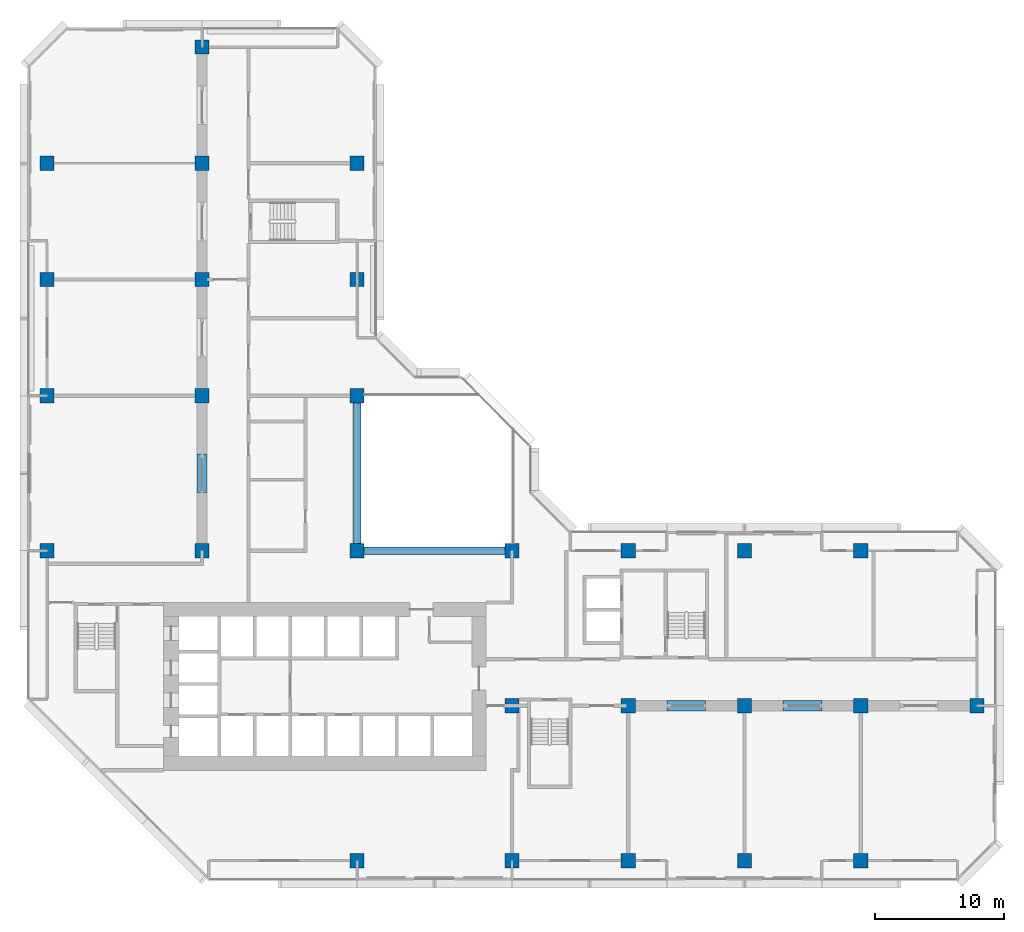
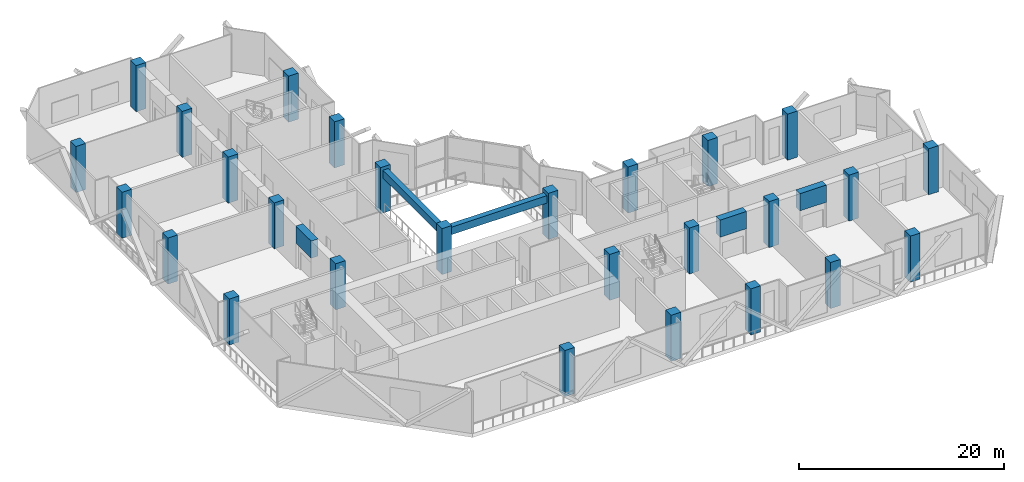
# One storey, part 1 of 14: 27 columns, 5 beams.
"""IFC4 building model written with IfcOpenShell, lengths in metres."""

from ifc_helpers import new_model, si_unit, direction, frame, origin, origin_2d, place, context, subcontext, project, spatial, rectangle, extrude, material, material_profile, profile_set, type_object, element, save


model = new_model("IFC4")

# Units and contexts
model_context = context("Model", 3, precision=1e-05, world=origin(), true_north=direction((0.0, 1.0)))
body_context = subcontext(model_context, "Body", "Model", "MODEL_VIEW")
ifc_project = project(units=[si_unit("LENGTHUNIT", "METRE"), si_unit("AREAUNIT", "SQUARE_METRE"), si_unit("VOLUMEUNIT", "CUBIC_METRE"), si_unit("PLANEANGLEUNIT", "RADIAN"), si_unit("MASSUNIT", "GRAM", prefix="KILO")], contexts=[model_context])

# Site, building, storey
site_placement = place(None, origin())
site = spatial("IfcSite", under=ifc_project, at=site_placement, CompositionType="ELEMENT")
building_placement = place(site_placement, origin())
building = spatial("IfcBuilding", under=site, at=building_placement, Name="Chenar Terraces", CompositionType="ELEMENT")
storey_placement = place(building_placement, frame((0.0, 0.0, 86.39990234375)))
storey = spatial("IfcBuildingStorey", under=building, at=storey_placement, Name="L19", CompositionType="ELEMENT", Elevation=86.39990234375)

# Columns
ifc_material_1 = material(Name="Concrete C70/85", Category="concrete")
ifc_material_profile_1 = material_profile(ifc_material_1, rectangle(XDim=1.10009765625, YDim=1.10009765625, at=origin_2d()), Name="C 1100 x 1100")
ifc_profile_set_1 = profile_set([ifc_material_profile_1], Name="Concrete C70/85")
column_type = type_object("IfcColumnType", Name="Column C 1100 x 1100 Concrete C70/85", PredefinedType="COLUMN", material=ifc_profile_set_1)
column_1_placement = place(storey_placement, frame((0.0, 24.0, 0.0), z_axis=(0.0, 0.0, 1.0), x_axis=(1.0, 0.0, 0.0)))
element("IfcColumn", 1, at=column_1_placement, inside=storey, type_object=column_type, Name="Column 5/G L19", PredefinedType="COLUMN", context=body_context, shape_type="SweptSolid", body=[
    extrude(rectangle(XDim=1.10009765625, YDim=1.10009765625, at=origin_2d()), origin(), (0.0, 0.0, 1.0), 5.5),
])
column_2_placement = place(storey_placement, frame((0.0, 36.0, 0.0), z_axis=(0.0, 0.0, 1.0), x_axis=(1.0, 0.0, 0.0)))
element("IfcColumn", 2, at=column_2_placement, inside=storey, type_object=column_type, Name="Column 5/H L19", PredefinedType="COLUMN", context=body_context, shape_type="SweptSolid", body=[
    extrude(rectangle(XDim=1.10009765625, YDim=1.10009765625, at=origin_2d()), origin(), (0.0, 0.0, 1.0), 5.5),
])
column_3_placement = place(storey_placement, frame((0.0, 45.0, 0.0), z_axis=(0.0, 0.0, 1.0), x_axis=(1.0, 0.0, 0.0)))
element("IfcColumn", 3, at=column_3_placement, inside=storey, type_object=column_type, Name="Column 5/J L19", PredefinedType="COLUMN", context=body_context, shape_type="SweptSolid", body=[
    extrude(rectangle(XDim=1.10009765625, YDim=1.10009765625, at=origin_2d()), origin(), (0.0, 0.0, 1.0), 5.5),
])
column_4_placement = place(storey_placement, frame((0.0, 54.0, 0.0), z_axis=(0.0, 0.0, 1.0), x_axis=(1.0, 0.0, 0.0)))
element("IfcColumn", 4, at=column_4_placement, inside=storey, type_object=column_type, Name="Column 5/K L19", PredefinedType="COLUMN", context=body_context, shape_type="SweptSolid", body=[
    extrude(rectangle(XDim=1.10009765625, YDim=1.10009765625, at=origin_2d()), origin(), (0.0, 0.0, 1.0), 5.5),
])
for number, where, z_axis, x_axis, name in (
    (5, (12.0, 24.0, 0.0), (0.0, 0.0, 1.0), (1.0, 0.0, 0.0), "Column 6/G L19"),
    (6, (12.0, 36.0, 0.0), (0.0, 0.0, 1.0), (1.0, 0.0, 0.0), "Column 6/H L19"),
    (7, (12.0, 45.0, 0.0), (0.0, 0.0, 1.0), (1.0, 0.0, 0.0), "Column 6/J L19"),
    (8, (12.0, 54.0, 0.0), (0.0, 0.0, 1.0), (1.0, 0.0, 0.0), "Column 6/K L19"),
    (9, (12.0, 63.0, 0.0), (0.0, 0.0, 1.0), (1.0, 0.0, 0.0), "Column 6/L L19"),
    (10, (24.0, 0.0, 0.0), (0.0, 0.0, 1.0), (1.0, 0.0, 0.0), "Column 7/E L19"),
    (11, (24.0, 24.0, 0.0), (0.0, 0.0, 1.0), (1.0, 0.0, 0.0), "Column 7/G L19"),
    (12, (24.0, 36.0, 0.0), (0.0, 0.0, 1.0), (1.0, 0.0, 0.0), "Column 7/H L19"),
    (13, (24.0, 45.0, 0.0), (0.0, 0.0, 1.0), (1.0, 0.0, 0.0), "Column 7/J L19"),
    (14, (24.0, 54.0, 0.0), (0.0, 0.0, 1.0), (1.0, 0.0, 0.0), "Column 7/K L19"),
    (15, (36.0, 0.0, 0.0), (0.0, 0.0, 1.0), (1.0, 0.0, 0.0), "Column 8/E L19"),
    (16, (36.0, 12.0, 0.0), (0.0, 0.0, 1.0), (1.0, 0.0, 0.0), "Column 8/F L19"),
    (17, (36.0, 24.0, 0.0), (0.0, 0.0, 1.0), (1.0, 0.0, 0.0), "Column 8/G L19"),
    (18, (45.0, 0.0, 0.0), (0.0, 0.0, 1.0), (1.0, 0.0, 0.0), "Column 9/E L19"),
):
    element("IfcColumn", number, at=place(storey_placement, frame(where, z_axis=z_axis, x_axis=x_axis)), inside=storey, type_object=column_type, Name=name, PredefinedType="COLUMN", context=body_context, shape_type="SweptSolid", body=[
        extrude(rectangle(XDim=1.10009765625, YDim=1.10009765625, at=origin_2d()), origin(), (0.0, 0.0, 1.0), 5.5),
    ])
column_5_placement = place(storey_placement, frame((45.0, 12.0, 0.0), z_axis=(0.0, 0.0, 1.0), x_axis=(1.0, 0.0, 0.0)))
element("IfcColumn", 19, at=column_5_placement, inside=storey, type_object=column_type, Name="Column 9/F L19", PredefinedType="COLUMN", context=body_context, shape_type="SweptSolid", body=[
    extrude(rectangle(XDim=1.10009765625, YDim=1.10009765625, at=origin_2d()), origin(), (0.0, 0.0, 1.0), 5.5),
])
for number, where, z_axis, x_axis, name in (
    (20, (45.0, 24.0, 0.0), (0.0, 0.0, 1.0), (1.0, 0.0, 0.0), "Column 9/G L19"),
    (21, (54.0, 0.0, 0.0), (0.0, 0.0, 1.0), (1.0, 0.0, 0.0), "Column 10/E L19"),
):
    element("IfcColumn", number, at=place(storey_placement, frame(where, z_axis=z_axis, x_axis=x_axis)), inside=storey, type_object=column_type, Name=name, PredefinedType="COLUMN", context=body_context, shape_type="SweptSolid", body=[
        extrude(rectangle(XDim=1.10009765625, YDim=1.10009765625, at=origin_2d()), origin(), (0.0, 0.0, 1.0), 5.5),
    ])
column_6_placement = place(storey_placement, frame((54.0, 12.0, 0.0), z_axis=(0.0, 0.0, 1.0), x_axis=(1.0, 0.0, 0.0)))
element("IfcColumn", 22, at=column_6_placement, inside=storey, type_object=column_type, Name="Column 10/F L19", PredefinedType="COLUMN", context=body_context, shape_type="SweptSolid", body=[
    extrude(rectangle(XDim=1.10009765625, YDim=1.10009765625, at=origin_2d()), origin(), (0.0, 0.0, 1.0), 5.5),
])
for number, where, z_axis, x_axis, name in (
    (23, (54.0, 24.0, 0.0), (0.0, 0.0, 1.0), (1.0, 0.0, 0.0), "Column 10/G L19"),
    (24, (63.0, 0.0, 0.0), (0.0, 0.0, 1.0), (1.0, 0.0, 0.0), "Column 11/E L19"),
):
    element("IfcColumn", number, at=place(storey_placement, frame(where, z_axis=z_axis, x_axis=x_axis)), inside=storey, type_object=column_type, Name=name, PredefinedType="COLUMN", context=body_context, shape_type="SweptSolid", body=[
        extrude(rectangle(XDim=1.10009765625, YDim=1.10009765625, at=origin_2d()), origin(), (0.0, 0.0, 1.0), 5.5),
    ])
column_7_placement = place(storey_placement, frame((63.0, 12.0, 0.0), z_axis=(0.0, 0.0, 1.0), x_axis=(1.0, 0.0, 0.0)))
element("IfcColumn", 25, at=column_7_placement, inside=storey, type_object=column_type, Name="Column 11/F L19", PredefinedType="COLUMN", context=body_context, shape_type="SweptSolid", body=[
    extrude(rectangle(XDim=1.10009765625, YDim=1.10009765625, at=origin_2d()), origin(), (0.0, 0.0, 1.0), 5.5),
])
for number, where, z_axis, x_axis, name in (
    (26, (63.0, 24.0, 0.0), (0.0, 0.0, 1.0), (1.0, 0.0, 0.0), "Column 11/G L19"),
    (27, (72.0, 12.0, 0.0), (0.0, 0.0, 1.0), (1.0, 0.0, 0.0), "Column 12/F L19"),
):
    element("IfcColumn", number, at=place(storey_placement, frame(where, z_axis=z_axis, x_axis=x_axis)), inside=storey, type_object=column_type, Name=name, PredefinedType="COLUMN", context=body_context, shape_type="SweptSolid", body=[
        extrude(rectangle(XDim=1.10009765625, YDim=1.10009765625, at=origin_2d()), origin(), (0.0, 0.0, 1.0), 5.5),
    ])

# Beams
ifc_material_2 = material(Name="Concrete C40/50", Category="concrete")
ifc_material_profile_2 = material_profile(ifc_material_2, rectangle(XDim=0.60009765625, YDim=0.89990234375, at=origin_2d()), Name="RC 600 x 900")
ifc_profile_set_2 = profile_set([ifc_material_profile_2], Name="Concrete C40/50")
beam_type_1 = type_object("IfcBeamType", Name="Atrium edge beam 600 x 900 Concrete C40/50", PredefinedType="BEAM", material=ifc_profile_set_2)
for number, where, z_axis, x_axis, name in (
    (28, (24.550048828125, 24.0, 4.650146484375), (1.0, 0.0, 0.0), (0.0, 1.0, 0.0), "Atrium edge beam L20 1"),
    (29, (24.0, 35.449951171875, 4.650146484375), (0.0, -1.0, 0.0), (1.0, 0.0, 0.0), "Atrium edge beam L20 4"),
):
    element("IfcBeam", number, at=place(storey_placement, frame(where, z_axis=z_axis, x_axis=x_axis)), inside=storey, type_object=beam_type_1, Name=name, PredefinedType="BEAM", context=body_context, shape_type="SweptSolid", body=[
        extrude(rectangle(XDim=0.60009765625, YDim=0.89990234375, at=origin_2d()), origin(), (0.0, 0.0, 1.0), 10.89990234375),
    ])
ifc_material_3 = material(Name="Concrete C70/85", Category="concrete")
ifc_material_profile_3 = material_profile(ifc_material_3, rectangle(XDim=0.800048828125, YDim=2.050048828125, at=origin_2d()), Name="RC 800 x 2050")
ifc_profile_set_3 = profile_set([ifc_material_profile_3], Name="Concrete C70/85")
beam_type_2 = type_object("IfcBeamType", Name="Belt lintel beam 800 x 2050 Concrete C70/85", PredefinedType="BEAM", material=ifc_profile_set_3)
for number, where, z_axis, x_axis, name in (
    (30, (48.0, 12.0, 4.0751953125), (1.0, 0.0, 0.0), (0.0, 1.0, 0.0), "Belt lintel beam L19 A1"),
    (31, (57.0, 12.0, 4.0751953125), (1.0, 0.0, 0.0), (0.0, 1.0, 0.0), "Belt lintel beam L19 A2"),
    (32, (12.0, 28.5, 4.0751953125), (0.0, 1.0, 0.0), (-1.0, 0.0, 0.0), "Belt lintel beam L19 B1"),
):
    element("IfcBeam", number, at=place(storey_placement, frame(where, z_axis=z_axis, x_axis=x_axis)), inside=storey, type_object=beam_type_2, Name=name, PredefinedType="BEAM", context=body_context, shape_type="SweptSolid", body=[
        extrude(rectangle(XDim=0.800048828125, YDim=2.050048828125, at=origin_2d()), origin(), (0.0, 0.0, 1.0), 3.0),
    ])

save(model, "model.ifc")
